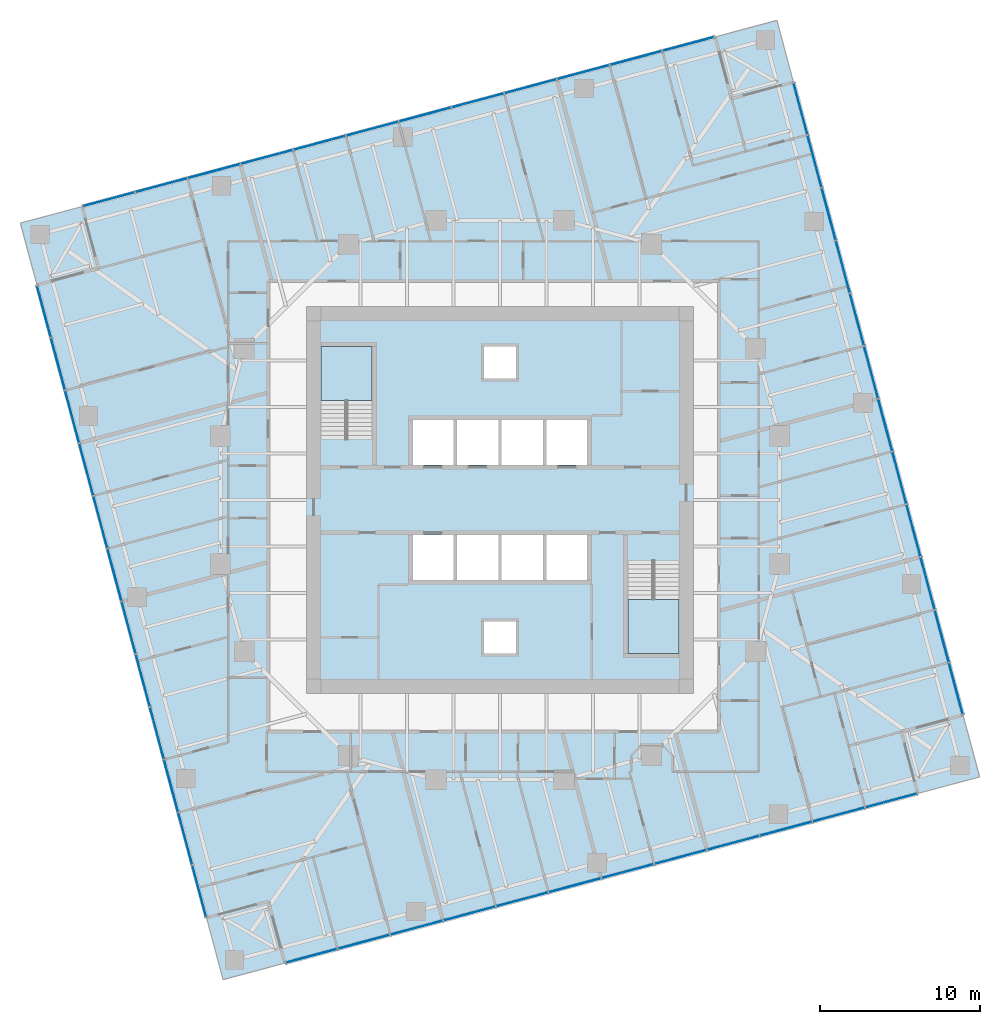
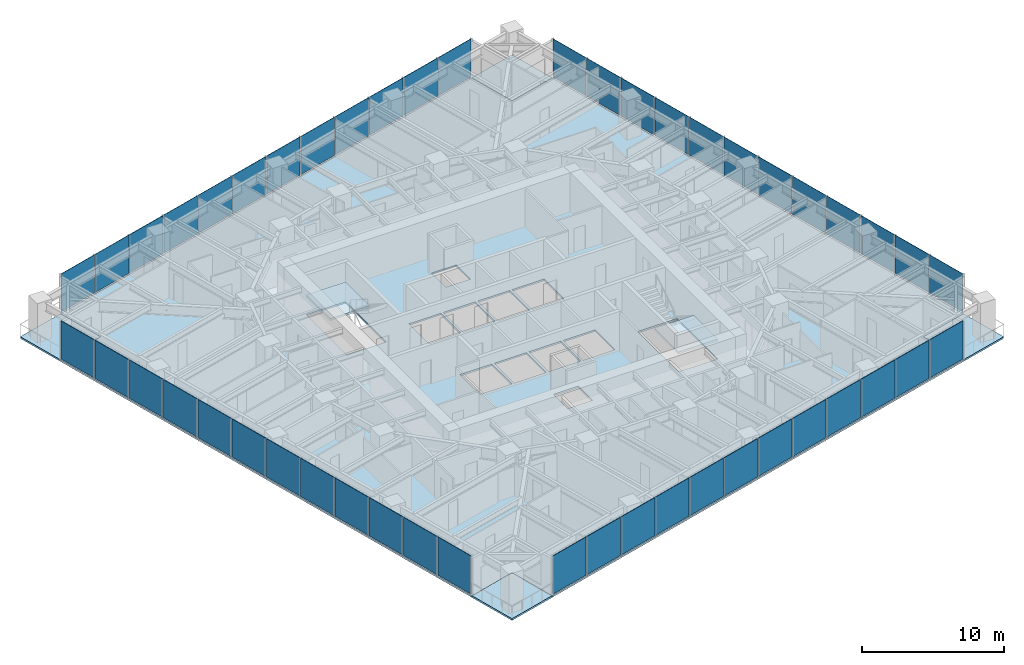
# One storey, part 7 of 14: 48 plates, 7 slabs, 6 elements without a shape of their own.
"""IFC4 building model written with IfcOpenShell, lengths in metres."""

from ifc_helpers import new_model, si_unit, direction, frame, origin, origin_2d, place, context, subcontext, project, spatial, polyline, rectangle, outline, extrude, material, layer, layer_set, type_object, element, aggregate, save


model = new_model("IFC4")

# Units and contexts
model_context = context("Model", 3, precision=1e-05, world=origin(), true_north=direction((0.0, 1.0)))
body_context = subcontext(model_context, "Body", "Model", "MODEL_VIEW")
ifc_project = project(units=[si_unit("LENGTHUNIT", "METRE"), si_unit("AREAUNIT", "SQUARE_METRE"), si_unit("VOLUMEUNIT", "CUBIC_METRE"), si_unit("PLANEANGLEUNIT", "RADIAN"), si_unit("MASSUNIT", "GRAM", prefix="KILO")], contexts=[model_context])

# Site, building, storey
site_placement = place(None, origin())
site = spatial("IfcSite", under=ifc_project, at=site_placement, CompositionType="ELEMENT")
building_placement = place(site_placement, origin())
building = spatial("IfcBuilding", under=site, at=building_placement, Name="Torsade Residences", CompositionType="ELEMENT")
storey_placement = place(building_placement, frame((0.0, 0.0, 125.199951171875)))
storey = spatial("IfcBuildingStorey", under=building, at=storey_placement, Name="L34", CompositionType="ELEMENT", Elevation=125.199951171875)

# Slab
ifc_material_1 = material(Name="Concrete 40 MPa", Category="concrete")
ifc_layer_1 = layer(ifc_material_1, 0.14990234375)
ifc_layer_set_1 = layer_set([ifc_layer_1], Name="Concrete 40 MPa")
slab_type_1 = type_object("IfcSlabType", Name="COMPOSITE FLOOR SLAB 150", PredefinedType="FLOOR", material=ifc_layer_set_1)
slab_1_placement = place(storey_placement, frame((0.0, 0.0, -0.14990234375)))
element("IfcSlab", 1, at=slab_1_placement, inside=storey, type_object=slab_type_1, Name="Floor slab L34", PredefinedType="FLOOR", context=body_context, shape_type="SweptSolid", body=[
    extrude(outline(polyline([(26.53955078125, 1.029052734375), (66.142578125, 11.640625), (65.107177734375, 15.50439453125), (68.970947265625, 16.53955078125), (58.359375, 56.142578125), (54.49560546875, 55.107177734375), (53.46044921875, 58.970947265625), (13.857421875, 48.359375), (14.892822265625, 44.49560546875), (11.029052734375, 43.46044921875), (21.640625, 3.857421875), (25.50439453125, 4.892822265625), (26.53955078125, 1.029052734375)]), holes=[polyline([(51.199951171875, 20.39990234375), (51.199951171875, 26.1201171875), (48.0, 26.1201171875), (48.0, 20.39990234375), (51.199951171875, 20.39990234375)]), polyline([(45.5, 27.800048828125), (42.89990234375, 27.800048828125), (42.89990234375, 25.0), (45.5, 25.0), (45.5, 27.800048828125)]), polyline([(45.5, 32.199951171875), (45.5, 35.0), (42.89990234375, 35.0), (42.89990234375, 32.199951171875), (45.5, 32.199951171875)]), polyline([(42.699951171875, 25.0), (42.699951171875, 27.800048828125), (40.10009765625, 27.800048828125), (40.10009765625, 25.0), (42.699951171875, 25.0)]), polyline([(42.699951171875, 32.199951171875), (42.699951171875, 35.0), (40.10009765625, 35.0), (40.10009765625, 32.199951171875), (42.699951171875, 32.199951171875)]), polyline([(41.0, 22.39990234375), (39.0, 22.39990234375), (39.0, 20.39990234375), (41.0, 20.39990234375), (41.0, 22.39990234375)]), polyline([(41.0, 37.60009765625), (41.0, 39.60009765625), (39.0, 39.60009765625), (39.0, 37.60009765625), (41.0, 37.60009765625)]), polyline([(39.89990234375, 25.0), (39.89990234375, 27.800048828125), (37.300048828125, 27.800048828125), (37.300048828125, 25.0), (39.89990234375, 25.0)]), polyline([(39.89990234375, 35.0), (37.300048828125, 35.0), (37.300048828125, 32.199951171875), (39.89990234375, 32.199951171875), (39.89990234375, 35.0)]), polyline([(37.10009765625, 27.800048828125), (34.5, 27.800048828125), (34.5, 25.0), (37.10009765625, 25.0), (37.10009765625, 27.800048828125)]), polyline([(37.10009765625, 32.199951171875), (37.10009765625, 35.0), (34.5, 35.0), (34.5, 32.199951171875), (37.10009765625, 32.199951171875)]), polyline([(32.0, 33.8798828125), (32.0, 39.60009765625), (28.800048828125, 39.60009765625), (28.800048828125, 33.8798828125), (32.0, 33.8798828125)])]), origin(), (0.0, 0.0, 1.0), 0.14990234375),
])

# Curtain wall, plates
ifc_material_2 = material(Name="Aluminium and glass", Category="aluminium")
curtain_wall_type = type_object("IfcCurtainWallType", Name="FRITTED GLASS CURTAIN WALL MID ZONE", PredefinedType="NOTDEFINED", material=ifc_material_2)
curtain_wall_1_placement = place(storey_placement, origin())
curtain_wall_1 = element("IfcCurtainWall", 2, at=curtain_wall_1_placement, inside=storey, type_object=curtain_wall_type, Name="Curtain wall L34 face 1", PredefinedType="NOTDEFINED")
ifc_material_3 = material(Name="Laminated glass", Category="glass")
ifc_layer_2 = layer(ifc_material_3, 0.031982421875)
ifc_layer_set_2 = layer_set([ifc_layer_2], Name="Laminated glass")
plate_type_1 = type_object("IfcPlateType", Name="FRITTED GLASS PANEL", PredefinedType="CURTAIN_PANEL", material=ifc_layer_set_2)
plate_1_placement = place(storey_placement, frame((28.208984375, 1.476318359375, 0.110107421875), z_axis=(0.0, 0.0, 1.0), x_axis=(0.965925825571, 0.258819047783, 0.0)))
plate_1 = element("IfcPlate", 3, at=plate_1_placement, type_object=plate_type_1, Name="Panel 1", PredefinedType="CURTAIN_PANEL", context=body_context, shape_type="SweptSolid", body=[
    extrude(rectangle(XDim=3.296630859375, YDim=0.031982421875, at=origin_2d()), origin(), (0.0, 0.0, 1.0), 3.2900390625),
])
plate_2_placement = place(storey_placement, frame((34.790283203125, 3.23974609375, 0.110107421875), z_axis=(0.0, 0.0, 1.0), x_axis=(0.965925825571, 0.258819047783, 0.0)))
plate_2 = element("IfcPlate", 4, at=plate_2_placement, type_object=plate_type_1, Name="Panel 3", PredefinedType="CURTAIN_PANEL", context=body_context, shape_type="SweptSolid", body=[
    extrude(rectangle(XDim=3.336669921875, YDim=0.031982421875, at=origin_2d()), origin(), (0.0, 0.0, 1.0), 3.2900390625),
])
plate_3_placement = place(storey_placement, frame((38.09033203125, 4.1240234375, 0.110107421875), z_axis=(0.0, 0.0, 1.0), x_axis=(0.965925825571, 0.258819047783, 0.0)))
plate_3 = element("IfcPlate", 5, at=plate_3_placement, type_object=plate_type_1, Name="Panel 4", PredefinedType="CURTAIN_PANEL", context=body_context, shape_type="SweptSolid", body=[
    extrude(rectangle(XDim=3.336669921875, YDim=0.031982421875, at=origin_2d()), origin(), (0.0, 0.0, 1.0), 3.2900390625),
])
plate_4_placement = place(storey_placement, frame((41.390625, 5.00830078125, 0.110107421875), z_axis=(0.0, 0.0, 1.0), x_axis=(0.965925825571, 0.258819047783, 0.0)))
plate_4 = element("IfcPlate", 6, at=plate_4_placement, type_object=plate_type_1, Name="Panel 5", PredefinedType="CURTAIN_PANEL", context=body_context, shape_type="SweptSolid", body=[
    extrude(rectangle(XDim=3.336669921875, YDim=0.031982421875, at=origin_2d()), origin(), (0.0, 0.0, 1.0), 3.2900390625),
])
plate_5_placement = place(storey_placement, frame((47.9912109375, 6.77685546875, 0.110107421875), z_axis=(0.0, 0.0, 1.0), x_axis=(0.965925825571, 0.258819047783, 0.0)))
plate_5 = element("IfcPlate", 7, at=plate_5_placement, type_object=plate_type_1, Name="Panel 7", PredefinedType="CURTAIN_PANEL", context=body_context, shape_type="SweptSolid", body=[
    extrude(rectangle(XDim=3.336669921875, YDim=0.031982421875, at=origin_2d()), origin(), (0.0, 0.0, 1.0), 3.2900390625),
])
plate_6_placement = place(storey_placement, frame((51.29150390625, 7.661376953125, 0.110107421875), z_axis=(0.0, 0.0, 1.0), x_axis=(0.965925825571, 0.258819047783, 0.0)))
plate_6 = element("IfcPlate", 8, at=plate_6_placement, type_object=plate_type_1, Name="Panel 8", PredefinedType="CURTAIN_PANEL", context=body_context, shape_type="SweptSolid", body=[
    extrude(rectangle(XDim=3.336669921875, YDim=0.031982421875, at=origin_2d()), origin(), (0.0, 0.0, 1.0), 3.2900390625),
])
plate_7_placement = place(storey_placement, frame((54.591796875, 8.545654296875, 0.110107421875), z_axis=(0.0, 0.0, 1.0), x_axis=(0.965925825571, 0.258819047783, 0.0)))
plate_7 = element("IfcPlate", 9, at=plate_7_placement, type_object=plate_type_1, Name="Panel 9", PredefinedType="CURTAIN_PANEL", context=body_context, shape_type="SweptSolid", body=[
    extrude(rectangle(XDim=3.336669921875, YDim=0.031982421875, at=origin_2d()), origin(), (0.0, 0.0, 1.0), 3.2900390625),
])
plate_8_placement = place(storey_placement, frame((61.192138671875, 10.314208984375, 0.110107421875), z_axis=(0.0, 0.0, 1.0), x_axis=(0.965925825571, 0.258819047783, 0.0)))
plate_8 = element("IfcPlate", 10, at=plate_8_placement, type_object=plate_type_1, Name="Panel 11", PredefinedType="CURTAIN_PANEL", context=body_context, shape_type="SweptSolid", body=[
    extrude(rectangle(XDim=3.336669921875, YDim=0.031982421875, at=origin_2d()), origin(), (0.0, 0.0, 1.0), 3.2900390625),
])
plate_9_placement = place(storey_placement, frame((64.47314453125, 11.193359375, 0.110107421875), z_axis=(0.0, 0.0, 1.0), x_axis=(0.965925825571, 0.258819047783, 0.0)))
plate_9 = element("IfcPlate", 11, at=plate_9_placement, type_object=plate_type_1, Name="Panel 12", PredefinedType="CURTAIN_PANEL", context=body_context, shape_type="SweptSolid", body=[
    extrude(rectangle(XDim=3.296630859375, YDim=0.031982421875, at=origin_2d()), origin(), (0.0, 0.0, 1.0), 3.2900390625),
])

curtain_wall_2_placement = place(storey_placement, origin())
curtain_wall_2 = element("IfcCurtainWall", 12, at=curtain_wall_2_placement, inside=storey, type_object=curtain_wall_type, Name="Curtain wall L34 face 4", PredefinedType="NOTDEFINED")
plate_10_placement = place(storey_placement, frame((68.523681640625, 18.208984375, 0.110107421875), z_axis=(0.0, 0.0, 1.0), x_axis=(-0.258819047783, 0.965925825571, 0.0)))
plate_10 = element("IfcPlate", 13, at=plate_10_placement, type_object=plate_type_1, Name="Panel 1", PredefinedType="CURTAIN_PANEL", context=body_context, shape_type="SweptSolid", body=[
    extrude(rectangle(XDim=3.296630859375, YDim=0.031982421875, at=origin_2d()), origin(), (0.0, 0.0, 1.0), 3.2900390625),
])
plate_11_placement = place(storey_placement, frame((66.76025390625, 24.790283203125, 0.110107421875), z_axis=(0.0, 0.0, 1.0), x_axis=(-0.258819047783, 0.965925825571, 0.0)))
plate_11 = element("IfcPlate", 14, at=plate_11_placement, type_object=plate_type_1, Name="Panel 3", PredefinedType="CURTAIN_PANEL", context=body_context, shape_type="SweptSolid", body=[
    extrude(rectangle(XDim=3.336669921875, YDim=0.031982421875, at=origin_2d()), origin(), (0.0, 0.0, 1.0), 3.2900390625),
])
plate_12_placement = place(storey_placement, frame((65.8759765625, 28.09033203125, 0.110107421875), z_axis=(0.0, 0.0, 1.0), x_axis=(-0.258819047783, 0.965925825571, 0.0)))
plate_12 = element("IfcPlate", 15, at=plate_12_placement, type_object=plate_type_1, Name="Panel 4", PredefinedType="CURTAIN_PANEL", context=body_context, shape_type="SweptSolid", body=[
    extrude(rectangle(XDim=3.336669921875, YDim=0.031982421875, at=origin_2d()), origin(), (0.0, 0.0, 1.0), 3.2900390625),
])
plate_13_placement = place(storey_placement, frame((64.99169921875, 31.390625, 0.110107421875), z_axis=(0.0, 0.0, 1.0), x_axis=(-0.258819047783, 0.965925825571, 0.0)))
plate_13 = element("IfcPlate", 16, at=plate_13_placement, type_object=plate_type_1, Name="Panel 5", PredefinedType="CURTAIN_PANEL", context=body_context, shape_type="SweptSolid", body=[
    extrude(rectangle(XDim=3.336669921875, YDim=0.031982421875, at=origin_2d()), origin(), (0.0, 0.0, 1.0), 3.2900390625),
])
plate_14_placement = place(storey_placement, frame((63.22314453125, 37.9912109375, 0.110107421875), z_axis=(0.0, 0.0, 1.0), x_axis=(-0.258819047783, 0.965925825571, 0.0)))
plate_14 = element("IfcPlate", 17, at=plate_14_placement, type_object=plate_type_1, Name="Panel 7", PredefinedType="CURTAIN_PANEL", context=body_context, shape_type="SweptSolid", body=[
    extrude(rectangle(XDim=3.336669921875, YDim=0.031982421875, at=origin_2d()), origin(), (0.0, 0.0, 1.0), 3.2900390625),
])
plate_15_placement = place(storey_placement, frame((62.338623046875, 41.29150390625, 0.110107421875), z_axis=(0.0, 0.0, 1.0), x_axis=(-0.258819047783, 0.965925825571, 0.0)))
plate_15 = element("IfcPlate", 18, at=plate_15_placement, type_object=plate_type_1, Name="Panel 8", PredefinedType="CURTAIN_PANEL", context=body_context, shape_type="SweptSolid", body=[
    extrude(rectangle(XDim=3.336669921875, YDim=0.031982421875, at=origin_2d()), origin(), (0.0, 0.0, 1.0), 3.2900390625),
])
plate_16_placement = place(storey_placement, frame((61.454345703125, 44.591796875, 0.110107421875), z_axis=(0.0, 0.0, 1.0), x_axis=(-0.258819047783, 0.965925825571, 0.0)))
plate_16 = element("IfcPlate", 19, at=plate_16_placement, type_object=plate_type_1, Name="Panel 9", PredefinedType="CURTAIN_PANEL", context=body_context, shape_type="SweptSolid", body=[
    extrude(rectangle(XDim=3.336669921875, YDim=0.031982421875, at=origin_2d()), origin(), (0.0, 0.0, 1.0), 3.2900390625),
])
plate_17_placement = place(storey_placement, frame((59.685791015625, 51.192138671875, 0.110107421875), z_axis=(0.0, 0.0, 1.0), x_axis=(-0.258819047783, 0.965925825571, 0.0)))
plate_17 = element("IfcPlate", 20, at=plate_17_placement, type_object=plate_type_1, Name="Panel 11", PredefinedType="CURTAIN_PANEL", context=body_context, shape_type="SweptSolid", body=[
    extrude(rectangle(XDim=3.336669921875, YDim=0.031982421875, at=origin_2d()), origin(), (0.0, 0.0, 1.0), 3.2900390625),
])
plate_18_placement = place(storey_placement, frame((58.806640625, 54.47314453125, 0.110107421875), z_axis=(0.0, 0.0, 1.0), x_axis=(-0.258819047783, 0.965925825571, 0.0)))
plate_18 = element("IfcPlate", 21, at=plate_18_placement, type_object=plate_type_1, Name="Panel 12", PredefinedType="CURTAIN_PANEL", context=body_context, shape_type="SweptSolid", body=[
    extrude(rectangle(XDim=3.296630859375, YDim=0.031982421875, at=origin_2d()), origin(), (0.0, 0.0, 1.0), 3.2900390625),
])

curtain_wall_3_placement = place(storey_placement, origin())
curtain_wall_3 = element("IfcCurtainWall", 22, at=curtain_wall_3_placement, inside=storey, type_object=curtain_wall_type, Name="Curtain wall L34 face 7", PredefinedType="NOTDEFINED")
plate_19_placement = place(storey_placement, frame((51.791015625, 58.523681640625, 0.110107421875), z_axis=(0.0, 0.0, 1.0), x_axis=(-0.965925825571, -0.258819047783, 0.0)))
plate_19 = element("IfcPlate", 23, at=plate_19_placement, type_object=plate_type_1, Name="Panel 1", PredefinedType="CURTAIN_PANEL", context=body_context, shape_type="SweptSolid", body=[
    extrude(rectangle(XDim=3.296630859375, YDim=0.031982421875, at=origin_2d()), origin(), (0.0, 0.0, 1.0), 3.2900390625),
])
plate_20_placement = place(storey_placement, frame((45.209716796875, 56.76025390625, 0.110107421875), z_axis=(0.0, 0.0, 1.0), x_axis=(-0.965925825571, -0.258819047783, 0.0)))
plate_20 = element("IfcPlate", 24, at=plate_20_placement, type_object=plate_type_1, Name="Panel 3", PredefinedType="CURTAIN_PANEL", context=body_context, shape_type="SweptSolid", body=[
    extrude(rectangle(XDim=3.336669921875, YDim=0.031982421875, at=origin_2d()), origin(), (0.0, 0.0, 1.0), 3.2900390625),
])
plate_21_placement = place(storey_placement, frame((41.90966796875, 55.8759765625, 0.110107421875), z_axis=(0.0, 0.0, 1.0), x_axis=(-0.965925825571, -0.258819047783, 0.0)))
plate_21 = element("IfcPlate", 25, at=plate_21_placement, type_object=plate_type_1, Name="Panel 4", PredefinedType="CURTAIN_PANEL", context=body_context, shape_type="SweptSolid", body=[
    extrude(rectangle(XDim=3.336669921875, YDim=0.031982421875, at=origin_2d()), origin(), (0.0, 0.0, 1.0), 3.2900390625),
])
plate_22_placement = place(storey_placement, frame((38.609375, 54.99169921875, 0.110107421875), z_axis=(0.0, 0.0, 1.0), x_axis=(-0.965925825571, -0.258819047783, 0.0)))
plate_22 = element("IfcPlate", 26, at=plate_22_placement, type_object=plate_type_1, Name="Panel 5", PredefinedType="CURTAIN_PANEL", context=body_context, shape_type="SweptSolid", body=[
    extrude(rectangle(XDim=3.336669921875, YDim=0.031982421875, at=origin_2d()), origin(), (0.0, 0.0, 1.0), 3.2900390625),
])
plate_23_placement = place(storey_placement, frame((32.0087890625, 53.22314453125, 0.110107421875), z_axis=(0.0, 0.0, 1.0), x_axis=(-0.965925825571, -0.258819047783, 0.0)))
plate_23 = element("IfcPlate", 27, at=plate_23_placement, type_object=plate_type_1, Name="Panel 7", PredefinedType="CURTAIN_PANEL", context=body_context, shape_type="SweptSolid", body=[
    extrude(rectangle(XDim=3.336669921875, YDim=0.031982421875, at=origin_2d()), origin(), (0.0, 0.0, 1.0), 3.2900390625),
])
plate_24_placement = place(storey_placement, frame((28.70849609375, 52.338623046875, 0.110107421875), z_axis=(0.0, 0.0, 1.0), x_axis=(-0.965925825571, -0.258819047783, 0.0)))
plate_24 = element("IfcPlate", 28, at=plate_24_placement, type_object=plate_type_1, Name="Panel 8", PredefinedType="CURTAIN_PANEL", context=body_context, shape_type="SweptSolid", body=[
    extrude(rectangle(XDim=3.336669921875, YDim=0.031982421875, at=origin_2d()), origin(), (0.0, 0.0, 1.0), 3.2900390625),
])
plate_25_placement = place(storey_placement, frame((25.408203125, 51.454345703125, 0.110107421875), z_axis=(0.0, 0.0, 1.0), x_axis=(-0.965925825571, -0.258819047783, 0.0)))
plate_25 = element("IfcPlate", 29, at=plate_25_placement, type_object=plate_type_1, Name="Panel 9", PredefinedType="CURTAIN_PANEL", context=body_context, shape_type="SweptSolid", body=[
    extrude(rectangle(XDim=3.336669921875, YDim=0.031982421875, at=origin_2d()), origin(), (0.0, 0.0, 1.0), 3.2900390625),
])
plate_26_placement = place(storey_placement, frame((18.807861328125, 49.685791015625, 0.110107421875), z_axis=(0.0, 0.0, 1.0), x_axis=(-0.965925825571, -0.258819047783, 0.0)))
plate_26 = element("IfcPlate", 30, at=plate_26_placement, type_object=plate_type_1, Name="Panel 11", PredefinedType="CURTAIN_PANEL", context=body_context, shape_type="SweptSolid", body=[
    extrude(rectangle(XDim=3.336669921875, YDim=0.031982421875, at=origin_2d()), origin(), (0.0, 0.0, 1.0), 3.2900390625),
])
plate_27_placement = place(storey_placement, frame((15.52685546875, 48.806640625, 0.110107421875), z_axis=(0.0, 0.0, 1.0), x_axis=(-0.965925825571, -0.258819047783, 0.0)))
plate_27 = element("IfcPlate", 31, at=plate_27_placement, type_object=plate_type_1, Name="Panel 12", PredefinedType="CURTAIN_PANEL", context=body_context, shape_type="SweptSolid", body=[
    extrude(rectangle(XDim=3.296630859375, YDim=0.031982421875, at=origin_2d()), origin(), (0.0, 0.0, 1.0), 3.2900390625),
])

curtain_wall_4_placement = place(storey_placement, origin())
curtain_wall_4 = element("IfcCurtainWall", 32, at=curtain_wall_4_placement, inside=storey, type_object=curtain_wall_type, Name="Curtain wall L34 face 10", PredefinedType="NOTDEFINED")
plate_28_placement = place(storey_placement, frame((11.476318359375, 41.791015625, 0.110107421875), z_axis=(0.0, 0.0, 1.0), x_axis=(0.258819047783, -0.965925825571, 0.0)))
plate_28 = element("IfcPlate", 33, at=plate_28_placement, type_object=plate_type_1, Name="Panel 1", PredefinedType="CURTAIN_PANEL", context=body_context, shape_type="SweptSolid", body=[
    extrude(rectangle(XDim=3.296630859375, YDim=0.031982421875, at=origin_2d()), origin(), (0.0, 0.0, 1.0), 3.2900390625),
])
plate_29_placement = place(storey_placement, frame((13.23974609375, 35.209716796875, 0.110107421875), z_axis=(0.0, 0.0, 1.0), x_axis=(0.258819047783, -0.965925825571, 0.0)))
plate_29 = element("IfcPlate", 34, at=plate_29_placement, type_object=plate_type_1, Name="Panel 3", PredefinedType="CURTAIN_PANEL", context=body_context, shape_type="SweptSolid", body=[
    extrude(rectangle(XDim=3.336669921875, YDim=0.031982421875, at=origin_2d()), origin(), (0.0, 0.0, 1.0), 3.2900390625),
])
plate_30_placement = place(storey_placement, frame((14.1240234375, 31.90966796875, 0.110107421875), z_axis=(0.0, 0.0, 1.0), x_axis=(0.258819047783, -0.965925825571, 0.0)))
plate_30 = element("IfcPlate", 35, at=plate_30_placement, type_object=plate_type_1, Name="Panel 4", PredefinedType="CURTAIN_PANEL", context=body_context, shape_type="SweptSolid", body=[
    extrude(rectangle(XDim=3.336669921875, YDim=0.031982421875, at=origin_2d()), origin(), (0.0, 0.0, 1.0), 3.2900390625),
])
plate_31_placement = place(storey_placement, frame((15.00830078125, 28.609375, 0.110107421875), z_axis=(0.0, 0.0, 1.0), x_axis=(0.258819047783, -0.965925825571, 0.0)))
plate_31 = element("IfcPlate", 36, at=plate_31_placement, type_object=plate_type_1, Name="Panel 5", PredefinedType="CURTAIN_PANEL", context=body_context, shape_type="SweptSolid", body=[
    extrude(rectangle(XDim=3.336669921875, YDim=0.031982421875, at=origin_2d()), origin(), (0.0, 0.0, 1.0), 3.2900390625),
])
plate_32_placement = place(storey_placement, frame((16.77685546875, 22.0087890625, 0.110107421875), z_axis=(0.0, 0.0, 1.0), x_axis=(0.258819047783, -0.965925825571, 0.0)))
plate_32 = element("IfcPlate", 37, at=plate_32_placement, type_object=plate_type_1, Name="Panel 7", PredefinedType="CURTAIN_PANEL", context=body_context, shape_type="SweptSolid", body=[
    extrude(rectangle(XDim=3.336669921875, YDim=0.031982421875, at=origin_2d()), origin(), (0.0, 0.0, 1.0), 3.2900390625),
])
plate_33_placement = place(storey_placement, frame((17.661376953125, 18.70849609375, 0.110107421875), z_axis=(0.0, 0.0, 1.0), x_axis=(0.258819047783, -0.965925825571, 0.0)))
plate_33 = element("IfcPlate", 38, at=plate_33_placement, type_object=plate_type_1, Name="Panel 8", PredefinedType="CURTAIN_PANEL", context=body_context, shape_type="SweptSolid", body=[
    extrude(rectangle(XDim=3.336669921875, YDim=0.031982421875, at=origin_2d()), origin(), (0.0, 0.0, 1.0), 3.2900390625),
])
plate_34_placement = place(storey_placement, frame((18.545654296875, 15.408203125, 0.110107421875), z_axis=(0.0, 0.0, 1.0), x_axis=(0.258819047783, -0.965925825571, 0.0)))
plate_34 = element("IfcPlate", 39, at=plate_34_placement, type_object=plate_type_1, Name="Panel 9", PredefinedType="CURTAIN_PANEL", context=body_context, shape_type="SweptSolid", body=[
    extrude(rectangle(XDim=3.336669921875, YDim=0.031982421875, at=origin_2d()), origin(), (0.0, 0.0, 1.0), 3.2900390625),
])
plate_35_placement = place(storey_placement, frame((20.314208984375, 8.807861328125, 0.110107421875), z_axis=(0.0, 0.0, 1.0), x_axis=(0.258819047783, -0.965925825571, 0.0)))
plate_35 = element("IfcPlate", 40, at=plate_35_placement, type_object=plate_type_1, Name="Panel 11", PredefinedType="CURTAIN_PANEL", context=body_context, shape_type="SweptSolid", body=[
    extrude(rectangle(XDim=3.336669921875, YDim=0.031982421875, at=origin_2d()), origin(), (0.0, 0.0, 1.0), 3.2900390625),
])
plate_36_placement = place(storey_placement, frame((21.193359375, 5.52685546875, 0.110107421875), z_axis=(0.0, 0.0, 1.0), x_axis=(0.258819047783, -0.965925825571, 0.0)))
plate_36 = element("IfcPlate", 41, at=plate_36_placement, type_object=plate_type_1, Name="Panel 12", PredefinedType="CURTAIN_PANEL", context=body_context, shape_type="SweptSolid", body=[
    extrude(rectangle(XDim=3.296630859375, YDim=0.031982421875, at=origin_2d()), origin(), (0.0, 0.0, 1.0), 3.2900390625),
])

# Plate
ifc_material_4 = material(Name="Laminated glass", Category="glass")
ifc_layer_3 = layer(ifc_material_4, 0.0400390625)
ifc_layer_set_3 = layer_set([ifc_layer_3], Name="Laminated glass")
plate_type_2 = type_object("IfcPlateType", Name="OPERABLE VENT PANEL", PredefinedType="CURTAIN_PANEL", material=ifc_layer_set_3)
plate_37_placement = place(storey_placement, frame((31.489990234375, 2.35546875, 0.110107421875), z_axis=(0.0, 0.0, 1.0), x_axis=(0.965925825571, 0.258819047783, 0.0)))
plate_37 = element("IfcPlate", 42, at=plate_37_placement, type_object=plate_type_2, Name="Panel 2", PredefinedType="CURTAIN_PANEL", context=body_context, shape_type="SweptSolid", body=[
    extrude(rectangle(XDim=3.336669921875, YDim=0.0400390625, at=origin_2d()), origin(), (0.0, 0.0, 1.0), 3.2900390625),
])

plate_38_placement = place(storey_placement, frame((44.69091796875, 5.892578125, 0.110107421875), z_axis=(0.0, 0.0, 1.0), x_axis=(0.965925825571, 0.258819047783, 0.0)))
plate_38 = element("IfcPlate", 43, at=plate_38_placement, type_object=plate_type_2, Name="Panel 6", PredefinedType="CURTAIN_PANEL", context=body_context, shape_type="SweptSolid", body=[
    extrude(rectangle(XDim=3.336669921875, YDim=0.0400390625, at=origin_2d()), origin(), (0.0, 0.0, 1.0), 3.2900390625),
])

plate_39_placement = place(storey_placement, frame((57.891845703125, 9.429931640625, 0.110107421875), z_axis=(0.0, 0.0, 1.0), x_axis=(0.965925825571, 0.258819047783, 0.0)))
plate_39 = element("IfcPlate", 44, at=plate_39_placement, type_object=plate_type_2, Name="Panel 10", PredefinedType="CURTAIN_PANEL", context=body_context, shape_type="SweptSolid", body=[
    extrude(rectangle(XDim=3.336669921875, YDim=0.0400390625, at=origin_2d()), origin(), (0.0, 0.0, 1.0), 3.2900390625),
])

aggregate(curtain_wall_1, [plate_1, plate_37, plate_2, plate_3, plate_4, plate_38, plate_5, plate_6, plate_7, plate_39, plate_8, plate_9])

plate_40_placement = place(storey_placement, frame((67.64453125, 21.489990234375, 0.110107421875), z_axis=(0.0, 0.0, 1.0), x_axis=(-0.258819047783, 0.965925825571, 0.0)))
plate_40 = element("IfcPlate", 45, at=plate_40_placement, type_object=plate_type_2, Name="Panel 2", PredefinedType="CURTAIN_PANEL", context=body_context, shape_type="SweptSolid", body=[
    extrude(rectangle(XDim=3.336669921875, YDim=0.0400390625, at=origin_2d()), origin(), (0.0, 0.0, 1.0), 3.2900390625),
])

plate_41_placement = place(storey_placement, frame((64.107421875, 34.69091796875, 0.110107421875), z_axis=(0.0, 0.0, 1.0), x_axis=(-0.258819047783, 0.965925825571, 0.0)))
plate_41 = element("IfcPlate", 46, at=plate_41_placement, type_object=plate_type_2, Name="Panel 6", PredefinedType="CURTAIN_PANEL", context=body_context, shape_type="SweptSolid", body=[
    extrude(rectangle(XDim=3.336669921875, YDim=0.0400390625, at=origin_2d()), origin(), (0.0, 0.0, 1.0), 3.2900390625),
])

plate_42_placement = place(storey_placement, frame((60.570068359375, 47.891845703125, 0.110107421875), z_axis=(0.0, 0.0, 1.0), x_axis=(-0.258819047783, 0.965925825571, 0.0)))
plate_42 = element("IfcPlate", 47, at=plate_42_placement, type_object=plate_type_2, Name="Panel 10", PredefinedType="CURTAIN_PANEL", context=body_context, shape_type="SweptSolid", body=[
    extrude(rectangle(XDim=3.336669921875, YDim=0.0400390625, at=origin_2d()), origin(), (0.0, 0.0, 1.0), 3.2900390625),
])

aggregate(curtain_wall_2, [plate_10, plate_40, plate_11, plate_12, plate_13, plate_41, plate_14, plate_15, plate_16, plate_42, plate_17, plate_18])

plate_43_placement = place(storey_placement, frame((48.510009765625, 57.64453125, 0.110107421875), z_axis=(0.0, 0.0, 1.0), x_axis=(-0.965925825571, -0.258819047783, 0.0)))
plate_43 = element("IfcPlate", 48, at=plate_43_placement, type_object=plate_type_2, Name="Panel 2", PredefinedType="CURTAIN_PANEL", context=body_context, shape_type="SweptSolid", body=[
    extrude(rectangle(XDim=3.336669921875, YDim=0.0400390625, at=origin_2d()), origin(), (0.0, 0.0, 1.0), 3.2900390625),
])

plate_44_placement = place(storey_placement, frame((35.30908203125, 54.107421875, 0.110107421875), z_axis=(0.0, 0.0, 1.0), x_axis=(-0.965925825571, -0.258819047783, 0.0)))
plate_44 = element("IfcPlate", 49, at=plate_44_placement, type_object=plate_type_2, Name="Panel 6", PredefinedType="CURTAIN_PANEL", context=body_context, shape_type="SweptSolid", body=[
    extrude(rectangle(XDim=3.336669921875, YDim=0.0400390625, at=origin_2d()), origin(), (0.0, 0.0, 1.0), 3.2900390625),
])

plate_45_placement = place(storey_placement, frame((22.108154296875, 50.570068359375, 0.110107421875), z_axis=(0.0, 0.0, 1.0), x_axis=(-0.965925825571, -0.258819047783, 0.0)))
plate_45 = element("IfcPlate", 50, at=plate_45_placement, type_object=plate_type_2, Name="Panel 10", PredefinedType="CURTAIN_PANEL", context=body_context, shape_type="SweptSolid", body=[
    extrude(rectangle(XDim=3.336669921875, YDim=0.0400390625, at=origin_2d()), origin(), (0.0, 0.0, 1.0), 3.2900390625),
])

aggregate(curtain_wall_3, [plate_19, plate_43, plate_20, plate_21, plate_22, plate_44, plate_23, plate_24, plate_25, plate_45, plate_26, plate_27])

plate_46_placement = place(storey_placement, frame((12.35546875, 38.510009765625, 0.110107421875), z_axis=(0.0, 0.0, 1.0), x_axis=(0.258819047783, -0.965925825571, 0.0)))
plate_46 = element("IfcPlate", 51, at=plate_46_placement, type_object=plate_type_2, Name="Panel 2", PredefinedType="CURTAIN_PANEL", context=body_context, shape_type="SweptSolid", body=[
    extrude(rectangle(XDim=3.336669921875, YDim=0.0400390625, at=origin_2d()), origin(), (0.0, 0.0, 1.0), 3.2900390625),
])

plate_47_placement = place(storey_placement, frame((15.892578125, 25.30908203125, 0.110107421875), z_axis=(0.0, 0.0, 1.0), x_axis=(0.258819047783, -0.965925825571, 0.0)))
plate_47 = element("IfcPlate", 52, at=plate_47_placement, type_object=plate_type_2, Name="Panel 6", PredefinedType="CURTAIN_PANEL", context=body_context, shape_type="SweptSolid", body=[
    extrude(rectangle(XDim=3.336669921875, YDim=0.0400390625, at=origin_2d()), origin(), (0.0, 0.0, 1.0), 3.2900390625),
])

plate_48_placement = place(storey_placement, frame((19.429931640625, 12.108154296875, 0.110107421875), z_axis=(0.0, 0.0, 1.0), x_axis=(0.258819047783, -0.965925825571, 0.0)))
plate_48 = element("IfcPlate", 53, at=plate_48_placement, type_object=plate_type_2, Name="Panel 10", PredefinedType="CURTAIN_PANEL", context=body_context, shape_type="SweptSolid", body=[
    extrude(rectangle(XDim=3.336669921875, YDim=0.0400390625, at=origin_2d()), origin(), (0.0, 0.0, 1.0), 3.2900390625),
])

aggregate(curtain_wall_4, [plate_28, plate_46, plate_29, plate_30, plate_31, plate_47, plate_32, plate_33, plate_34, plate_48, plate_35, plate_36])

# Stair, slab
ifc_material_5 = material(Name="Precast concrete 40 MPa", Category="concrete")
stair_type = type_object("IfcStairType", Name="HALF-TURN FIRE STAIR 1500x3400", PredefinedType="HALF_TURN_STAIR", material=ifc_material_5)
stair_1_placement = place(storey_placement, origin())
stair_1 = element("IfcStair", 54, at=stair_1_placement, inside=storey, type_object=stair_type, Name="Stair ST1 L34", PredefinedType="HALF_TURN_STAIR")
ifc_material_6 = material(Name="Precast concrete 40 MPa", Category="concrete")
ifc_layer_4 = layer(ifc_material_6, 0.179931640625)
ifc_layer_set_4 = layer_set([ifc_layer_4], Name="Precast concrete 40 MPa")
slab_type_2 = type_object("IfcSlabType", Name="PRECAST STAIR LANDING 180", PredefinedType="LANDING", material=ifc_layer_set_4)
slab_2_placement = place(storey_placement, frame((0.0, 0.0, 1.52001953125)))
slab_2 = element("IfcSlab", 55, at=slab_2_placement, type_object=slab_type_2, Name="ST1 landing 1", PredefinedType="LANDING", context=body_context, shape_type="SweptSolid", body=[
    extrude(outline(polyline([(28.800048828125, 36.2099609375), (32.0, 36.2099609375), (32.0, 39.60009765625), (28.800048828125, 39.60009765625), (28.800048828125, 36.2099609375)])), origin(), (0.0, 0.0, 1.0), 0.179931640625),
])
aggregate(stair_1, [slab_2])

stair_2_placement = place(storey_placement, origin())
stair_2 = element("IfcStair", 56, at=stair_2_placement, inside=storey, type_object=stair_type, Name="Stair ST2 L34", PredefinedType="HALF_TURN_STAIR")
slab_3_placement = place(storey_placement, frame((0.0, 0.0, 1.52001953125)))
slab_3 = element("IfcSlab", 57, at=slab_3_placement, type_object=slab_type_2, Name="ST2 landing 1", PredefinedType="LANDING", context=body_context, shape_type="SweptSolid", body=[
    extrude(outline(polyline([(48.0, 20.39990234375), (51.199951171875, 20.39990234375), (51.199951171875, 23.7900390625), (48.0, 23.7900390625), (48.0, 20.39990234375)])), origin(), (0.0, 0.0, 1.0), 0.179931640625),
])
aggregate(stair_2, [slab_3])

# Slabs
ifc_material_7 = material(Name="Concrete 40 MPa", Category="concrete")
ifc_layer_5 = layer(ifc_material_7, 0.14990234375)
ifc_layer_set_5 = layer_set([ifc_layer_5], Name="Concrete 40 MPa")
slab_type_3 = type_object("IfcSlabType", Name="TERRACE SLAB 150", PredefinedType="FLOOR", material=ifc_layer_set_5)
slab_4_placement = place(storey_placement, frame((0.0, 0.0, -0.14990234375)))
element("IfcSlab", 58, at=slab_4_placement, inside=storey, type_object=slab_type_3, Name="Corner terrace slab SE L34", PredefinedType="FLOOR", context=body_context, shape_type="SweptSolid", body=[
    extrude(outline(polyline([(66.142578125, 11.640625), (70.00634765625, 12.67578125), (68.970947265625, 16.53955078125), (65.107177734375, 15.50439453125), (66.142578125, 11.640625)])), origin(), (0.0, 0.0, 1.0), 0.14990234375),
])
slab_5_placement = place(storey_placement, frame((0.0, 0.0, -0.14990234375)))
element("IfcSlab", 59, at=slab_5_placement, inside=storey, type_object=slab_type_3, Name="Corner terrace slab NE L34", PredefinedType="FLOOR", context=body_context, shape_type="SweptSolid", body=[
    extrude(outline(polyline([(54.49560546875, 55.107177734375), (58.359375, 56.142578125), (57.32421875, 60.00634765625), (53.46044921875, 58.970947265625), (54.49560546875, 55.107177734375)])), origin(), (0.0, 0.0, 1.0), 0.14990234375),
])
slab_6_placement = place(storey_placement, frame((0.0, 0.0, -0.14990234375)))
element("IfcSlab", 60, at=slab_6_placement, inside=storey, type_object=slab_type_3, Name="Corner terrace slab NW L34", PredefinedType="FLOOR", context=body_context, shape_type="SweptSolid", body=[
    extrude(outline(polyline([(11.029052734375, 43.46044921875), (14.892822265625, 44.49560546875), (13.857421875, 48.359375), (9.99365234375, 47.32421875), (11.029052734375, 43.46044921875)])), origin(), (0.0, 0.0, 1.0), 0.14990234375),
])
slab_7_placement = place(storey_placement, frame((0.0, 0.0, -0.14990234375)))
element("IfcSlab", 61, at=slab_7_placement, inside=storey, type_object=slab_type_3, Name="Corner terrace slab SW L34", PredefinedType="FLOOR", context=body_context, shape_type="SweptSolid", body=[
    extrude(outline(polyline([(22.67578125, -0.00634765625), (26.53955078125, 1.029052734375), (25.50439453125, 4.892822265625), (21.640625, 3.857421875), (22.67578125, -0.00634765625)])), origin(), (0.0, 0.0, 1.0), 0.14990234375),
])

save(model, "model.ifc")
